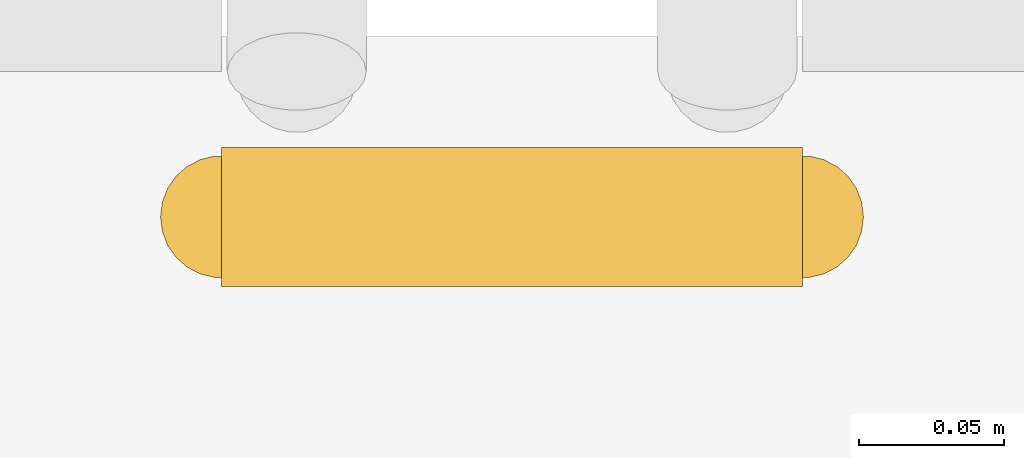
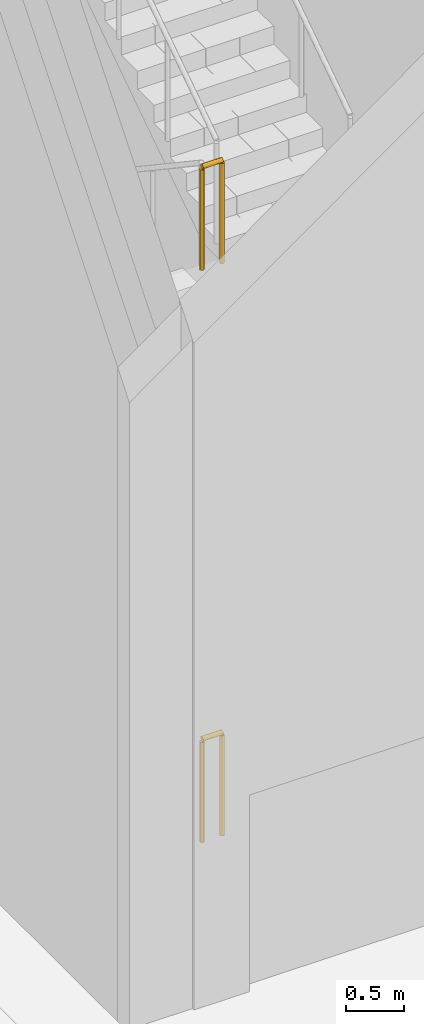
# One storey, part 38 of 52: 2 railings.
"""IFC4 building model written with IfcOpenShell, lengths in metres."""

from ifc_helpers import new_model, si_unit, direction, frame, origin, origin_2d, place, context, subcontext, project, spatial, circle, extrude, material, type_object, element, save


model = new_model("IFC4")

# Units and contexts
model_context = context("Model", 3, precision=1e-05, world=origin(), true_north=direction((0.0, 1.0)))
body_context = subcontext(model_context, "Body", "Model", "MODEL_VIEW")
ifc_project = project(units=[si_unit("LENGTHUNIT", "METRE"), si_unit("AREAUNIT", "SQUARE_METRE"), si_unit("VOLUMEUNIT", "CUBIC_METRE"), si_unit("PLANEANGLEUNIT", "RADIAN"), si_unit("MASSUNIT", "GRAM", prefix="KILO")], contexts=[model_context])

# Site, building, storey
site_placement = place(None, origin())
site = spatial("IfcSite", under=ifc_project, at=site_placement, CompositionType="ELEMENT")
building_placement = place(site_placement, origin())
building = spatial("IfcBuilding", under=site, at=building_placement, Name="Cantera Rosa Tower", CompositionType="ELEMENT")
storey_placement = place(building_placement, origin())
storey = spatial("IfcBuildingStorey", under=building, at=storey_placement, Name="L00", CompositionType="ELEMENT", Elevation=0.0)

# Railings
ifc_material = material(Name="Steel S355J2 (EN 10025-2)", Category="steel")
railing_type = type_object("IfcRailingType", Name="STAIR GUARD 1100", PredefinedType="GUARDRAIL", material=ifc_material)
for number, where, name in (
    (1, (-30.625, 21.074951171875, 6.0), "L00 ST-NW stair guard 4"),
    (2, (-30.625, 21.074951171875, 0.0), "L00 ST-NW stair guard 8"),
):
    element("IfcRailing", number, at=place(storey_placement, frame(where)), inside=storey, type_object=railing_type, Name=name, PredefinedType="GUARDRAIL", context=body_context, shape_type="SweptSolid", body=[
        extrude(circle(Radius=0.02392578125, at=origin_2d()), frame((0.0, 0.0, 1.076171875), z_axis=(-1.0, 0.0, 0.0), x_axis=(0.0, -1.0, 0.0)), (0.0, 0.0, 1.0), 0.199951171875),
        extrude(circle(Radius=0.02099609375, at=origin_2d()), origin(), (0.0, 0.0, 1.0), 1.052001953125),
        extrude(circle(Radius=0.02099609375, at=origin_2d()), frame((-0.199951171875, 0.0, 0.0)), (0.0, 0.0, 1.0), 1.052001953125),
    ])

save(model, "model.ifc")
